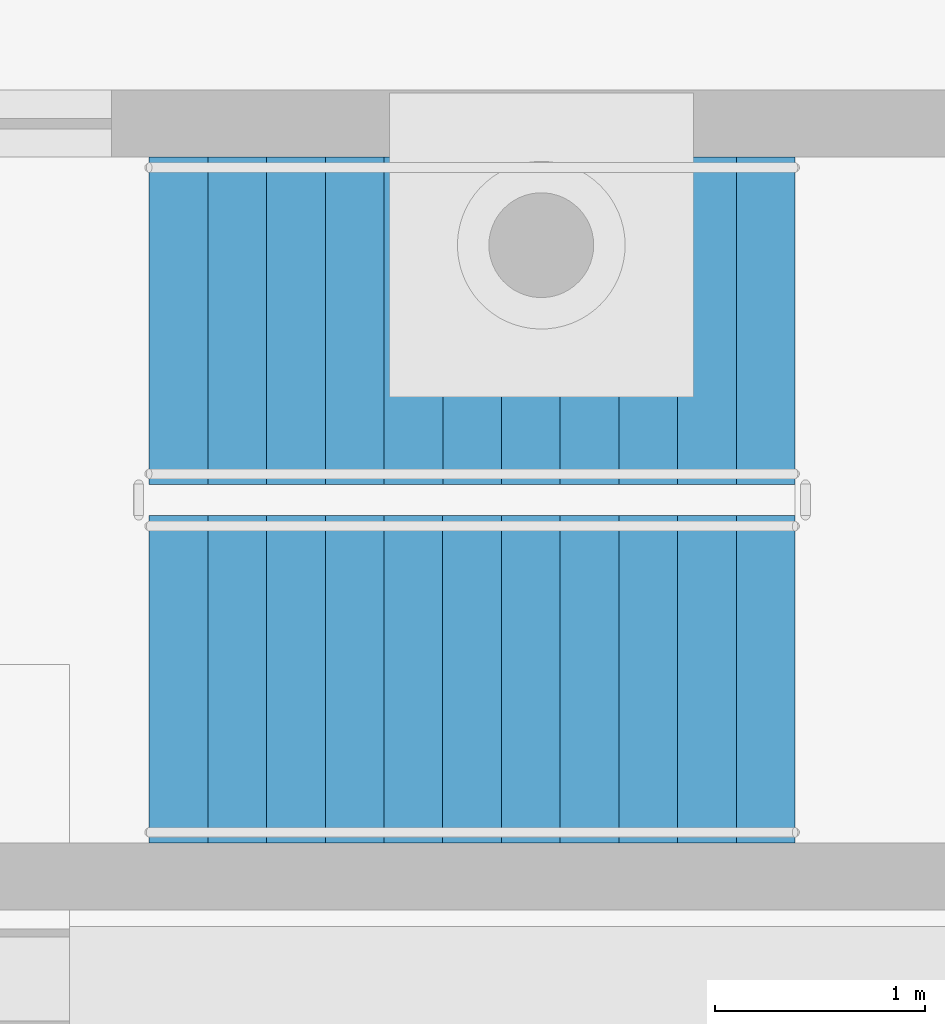
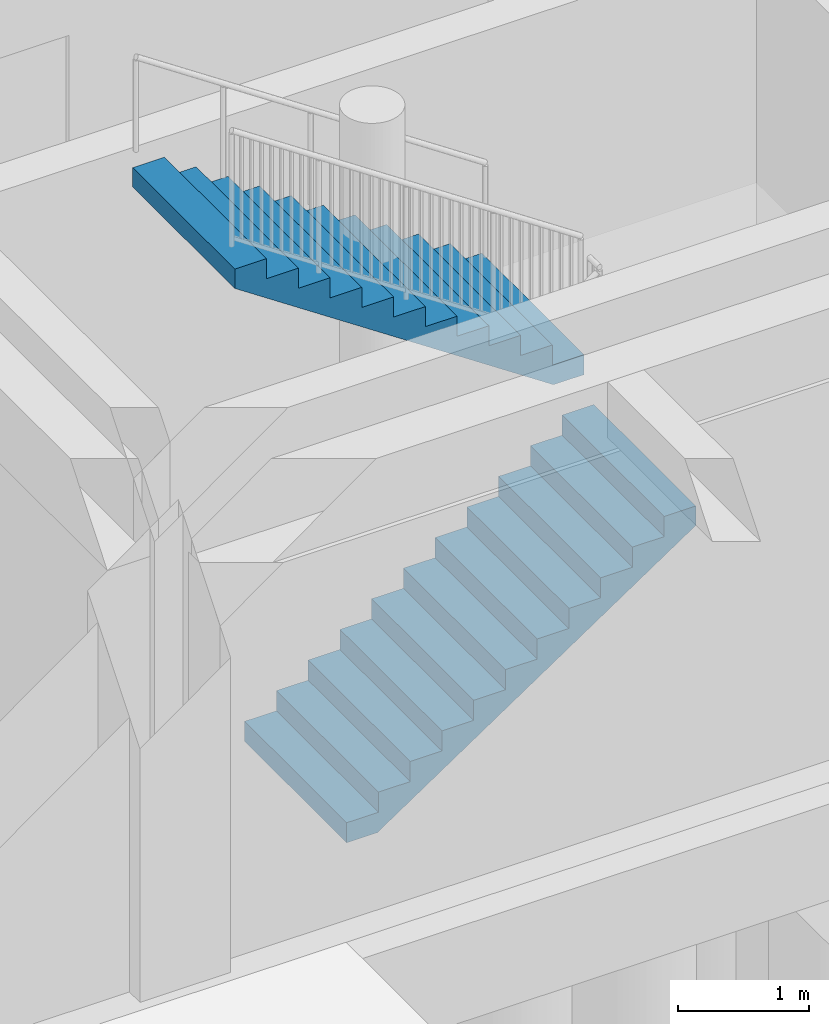
# One storey, part 39 of 49: 2 stair flights, 1 element without a shape of its own.
"""IFC4 building model written with IfcOpenShell, lengths in metres."""

from ifc_helpers import new_model, si_unit, direction, frame, origin, place, context, subcontext, project, spatial, polygons, material, type_object, element, aggregate, save


model = new_model("IFC4")

# Units and contexts
model_context = context("Model", 3, precision=1e-05, world=origin(), true_north=direction((0.0, 1.0)))
body_context = subcontext(model_context, "Body", "Model", "MODEL_VIEW")
ifc_project = project(units=[si_unit("LENGTHUNIT", "METRE"), si_unit("AREAUNIT", "SQUARE_METRE"), si_unit("VOLUMEUNIT", "CUBIC_METRE"), si_unit("PLANEANGLEUNIT", "RADIAN"), si_unit("MASSUNIT", "GRAM", prefix="KILO")], contexts=[model_context])

# Site, building, storey
site_placement = place(None, origin())
site = spatial("IfcSite", under=ifc_project, at=site_placement, CompositionType="ELEMENT")
building_placement = place(site_placement, origin())
building = spatial("IfcBuilding", under=site, at=building_placement, Name="Zantavel Square City Hall", CompositionType="ELEMENT")
storey_placement = place(building_placement, frame((0.0, 0.0, -4.5)))
storey = spatial("IfcBuildingStorey", under=building, at=storey_placement, Name="B1", CompositionType="ELEMENT", Elevation=-4.5)

# Stair, stair flights
ifc_material = material(Name="Concrete C35/45", Category="concrete")
stair_type = type_object("IfcStairType", Name="Enclosed Core Dogleg Stair B1 H4500", PredefinedType="HALF_TURN_STAIR", material=ifc_material)
stair_placement = place(storey_placement, origin())
stair = element("IfcStair", 1, at=stair_placement, inside=storey, type_object=stair_type, Name="B1 Exit Stair 3 West Pavilion Core", PredefinedType="HALF_TURN_STAIR")
stair_flight_type = type_object("IfcStairFlightType", Name="Enclosed Core Stair Flight B1 W1560", PredefinedType="STRAIGHT", material=ifc_material)
stair_flight_1_placement = place(storey_placement, frame((50.030029296875, 39.429931640625, 0.0), z_axis=(0.0, 0.0, 1.0), x_axis=(1.0, 0.0, 0.0)))
stair_flight_1 = element("IfcStairFlight", 2, at=stair_flight_1_placement, type_object=stair_flight_type, Name="ST3 flight 1", NumberOfRisers=12, NumberOfTreads=11, PredefinedType="STRAIGHT", RiserHeight=0.1875, TreadLength=0.28, context=body_context, shape_type="Tessellation", body=[
    polygons([(0.26953125, -0.780029296875, 0.0), (3.080078125, -0.780029296875, 1.882080078125), (3.080078125, -0.780029296875, 2.0625), (2.800048828125, -0.780029296875, 2.0625), (2.800048828125, -0.780029296875, 1.875), (2.52001953125, -0.780029296875, 1.875), (2.52001953125, -0.780029296875, 1.6875), (2.239990234375, -0.780029296875, 1.6875), (2.239990234375, -0.780029296875, 1.5), (1.9599609375, -0.780029296875, 1.5), (1.9599609375, -0.780029296875, 1.3125), (1.679931640625, -0.780029296875, 1.3125), (1.679931640625, -0.780029296875, 1.125), (1.39990234375, -0.780029296875, 1.125), (1.39990234375, -0.780029296875, 0.9375), (1.1201171875, -0.780029296875, 0.9375), (1.1201171875, -0.780029296875, 0.75), (0.840087890625, -0.780029296875, 0.75), (0.840087890625, -0.780029296875, 0.5625), (0.56005859375, -0.780029296875, 0.5625), (0.56005859375, -0.780029296875, 0.375), (0.280029296875, -0.780029296875, 0.375), (0.280029296875, -0.780029296875, 0.1875), (0.0, -0.780029296875, 0.1875), (0.0, -0.780029296875, 0.0), (0.26953125, -0.5849609375, 0.0), (3.080078125, -0.5849609375, 1.882080078125), (3.080078125, -0.5849609375, 2.0625), (2.800048828125, -0.5849609375, 2.0625), (2.800048828125, -0.5849609375, 1.875), (2.52001953125, -0.5849609375, 1.875), (2.52001953125, -0.5849609375, 1.6875), (2.239990234375, -0.5849609375, 1.6875), (2.239990234375, -0.5849609375, 1.5), (1.9599609375, -0.5849609375, 1.5), (1.9599609375, -0.5849609375, 1.3125), (1.679931640625, -0.5849609375, 1.3125), (1.679931640625, -0.5849609375, 1.125), (1.39990234375, -0.5849609375, 1.125), (1.39990234375, -0.5849609375, 0.9375), (1.1201171875, -0.5849609375, 0.9375), (1.1201171875, -0.5849609375, 0.75), (0.840087890625, -0.5849609375, 0.75), (0.840087890625, -0.5849609375, 0.5625), (0.56005859375, -0.5849609375, 0.5625), (0.56005859375, -0.5849609375, 0.375), (0.280029296875, -0.5849609375, 0.375), (0.280029296875, -0.5849609375, 0.1875), (0.0, -0.5849609375, 0.1875), (0.0, -0.5849609375, 0.0), (0.26953125, -0.39013671875, 0.0), (3.080078125, -0.39013671875, 1.882080078125), (3.080078125, -0.39013671875, 2.0625), (2.800048828125, -0.39013671875, 2.0625), (2.800048828125, -0.39013671875, 1.875), (2.52001953125, -0.39013671875, 1.875), (2.52001953125, -0.39013671875, 1.6875), (2.239990234375, -0.39013671875, 1.6875), (2.239990234375, -0.39013671875, 1.5), (1.9599609375, -0.39013671875, 1.5), (1.9599609375, -0.39013671875, 1.3125), (1.679931640625, -0.39013671875, 1.3125), (1.679931640625, -0.39013671875, 1.125), (1.39990234375, -0.39013671875, 1.125), (1.39990234375, -0.39013671875, 0.9375), (1.1201171875, -0.39013671875, 0.9375), (1.1201171875, -0.39013671875, 0.75), (0.840087890625, -0.39013671875, 0.75), (0.840087890625, -0.39013671875, 0.5625), (0.56005859375, -0.39013671875, 0.5625), (0.56005859375, -0.39013671875, 0.375), (0.280029296875, -0.39013671875, 0.375), (0.280029296875, -0.39013671875, 0.1875), (0.0, -0.39013671875, 0.1875), (0.0, -0.39013671875, 0.0), (0.26953125, -0.195068359375, 0.0), (3.080078125, -0.195068359375, 1.882080078125), (3.080078125, -0.195068359375, 2.0625), (2.800048828125, -0.195068359375, 2.0625), (2.800048828125, -0.195068359375, 1.875), (2.52001953125, -0.195068359375, 1.875), (2.52001953125, -0.195068359375, 1.6875), (2.239990234375, -0.195068359375, 1.6875), (2.239990234375, -0.195068359375, 1.5), (1.9599609375, -0.195068359375, 1.5), (1.9599609375, -0.195068359375, 1.3125), (1.679931640625, -0.195068359375, 1.3125), (1.679931640625, -0.195068359375, 1.125), (1.39990234375, -0.195068359375, 1.125), (1.39990234375, -0.195068359375, 0.9375), (1.1201171875, -0.195068359375, 0.9375), (1.1201171875, -0.195068359375, 0.75), (0.840087890625, -0.195068359375, 0.75), (0.840087890625, -0.195068359375, 0.5625), (0.56005859375, -0.195068359375, 0.5625), (0.56005859375, -0.195068359375, 0.375), (0.280029296875, -0.195068359375, 0.375), (0.280029296875, -0.195068359375, 0.1875), (0.0, -0.195068359375, 0.1875), (0.0, -0.195068359375, 0.0), (0.26953125, 0.0, 0.0), (3.080078125, 0.0, 1.882080078125), (3.080078125, 0.0, 2.0625), (2.800048828125, 0.0, 2.0625), (2.800048828125, 0.0, 1.875), (2.52001953125, 0.0, 1.875), (2.52001953125, 0.0, 1.6875), (2.239990234375, 0.0, 1.6875), (2.239990234375, 0.0, 1.5), (1.9599609375, 0.0, 1.5), (1.9599609375, 0.0, 1.3125), (1.679931640625, 0.0, 1.3125), (1.679931640625, 0.0, 1.125), (1.39990234375, 0.0, 1.125), (1.39990234375, 0.0, 0.9375), (1.1201171875, 0.0, 0.9375), (1.1201171875, 0.0, 0.75), (0.840087890625, 0.0, 0.75), (0.840087890625, 0.0, 0.5625), (0.56005859375, 0.0, 0.5625), (0.56005859375, 0.0, 0.375), (0.280029296875, 0.0, 0.375), (0.280029296875, 0.0, 0.1875), (0.0, 0.0, 0.1875), (0.0, 0.0, 0.0), (0.26953125, 0.195068359375, 0.0), (3.080078125, 0.195068359375, 1.882080078125), (3.080078125, 0.195068359375, 2.0625), (2.800048828125, 0.195068359375, 2.0625), (2.800048828125, 0.195068359375, 1.875), (2.52001953125, 0.195068359375, 1.875), (2.52001953125, 0.195068359375, 1.6875), (2.239990234375, 0.195068359375, 1.6875), (2.239990234375, 0.195068359375, 1.5), (1.9599609375, 0.195068359375, 1.5), (1.9599609375, 0.195068359375, 1.3125), (1.679931640625, 0.195068359375, 1.3125), (1.679931640625, 0.195068359375, 1.125), (1.39990234375, 0.195068359375, 1.125), (1.39990234375, 0.195068359375, 0.9375), (1.1201171875, 0.195068359375, 0.9375), (1.1201171875, 0.195068359375, 0.75), (0.840087890625, 0.195068359375, 0.75), (0.840087890625, 0.195068359375, 0.5625), (0.56005859375, 0.195068359375, 0.5625), (0.56005859375, 0.195068359375, 0.375), (0.280029296875, 0.195068359375, 0.375), (0.280029296875, 0.195068359375, 0.1875), (0.0, 0.195068359375, 0.1875), (0.0, 0.195068359375, 0.0), (0.26953125, 0.39013671875, 0.0), (3.080078125, 0.39013671875, 1.882080078125), (3.080078125, 0.39013671875, 2.0625), (2.800048828125, 0.39013671875, 2.0625), (2.800048828125, 0.39013671875, 1.875), (2.52001953125, 0.39013671875, 1.875), (2.52001953125, 0.39013671875, 1.6875), (2.239990234375, 0.39013671875, 1.6875), (2.239990234375, 0.39013671875, 1.5), (1.9599609375, 0.39013671875, 1.5), (1.9599609375, 0.39013671875, 1.3125), (1.679931640625, 0.39013671875, 1.3125), (1.679931640625, 0.39013671875, 1.125), (1.39990234375, 0.39013671875, 1.125), (1.39990234375, 0.39013671875, 0.9375), (1.1201171875, 0.39013671875, 0.9375), (1.1201171875, 0.39013671875, 0.75), (0.840087890625, 0.39013671875, 0.75), (0.840087890625, 0.39013671875, 0.5625), (0.56005859375, 0.39013671875, 0.5625), (0.56005859375, 0.39013671875, 0.375), (0.280029296875, 0.39013671875, 0.375), (0.280029296875, 0.39013671875, 0.1875), (0.0, 0.39013671875, 0.1875), (0.0, 0.39013671875, 0.0), (0.26953125, 0.5849609375, 0.0), (3.080078125, 0.5849609375, 1.882080078125), (3.080078125, 0.5849609375, 2.0625), (2.800048828125, 0.5849609375, 2.0625), (2.800048828125, 0.5849609375, 1.875), (2.52001953125, 0.5849609375, 1.875), (2.52001953125, 0.5849609375, 1.6875), (2.239990234375, 0.5849609375, 1.6875), (2.239990234375, 0.5849609375, 1.5), (1.9599609375, 0.5849609375, 1.5), (1.9599609375, 0.5849609375, 1.3125), (1.679931640625, 0.5849609375, 1.3125), (1.679931640625, 0.5849609375, 1.125), (1.39990234375, 0.5849609375, 1.125), (1.39990234375, 0.5849609375, 0.9375), (1.1201171875, 0.5849609375, 0.9375), (1.1201171875, 0.5849609375, 0.75), (0.840087890625, 0.5849609375, 0.75), (0.840087890625, 0.5849609375, 0.5625), (0.56005859375, 0.5849609375, 0.5625), (0.56005859375, 0.5849609375, 0.375), (0.280029296875, 0.5849609375, 0.375), (0.280029296875, 0.5849609375, 0.1875), (0.0, 0.5849609375, 0.1875), (0.0, 0.5849609375, 0.0), (0.26953125, 0.780029296875, 0.0), (3.080078125, 0.780029296875, 1.882080078125), (3.080078125, 0.780029296875, 2.0625), (2.800048828125, 0.780029296875, 2.0625), (2.800048828125, 0.780029296875, 1.875), (2.52001953125, 0.780029296875, 1.875), (2.52001953125, 0.780029296875, 1.6875), (2.239990234375, 0.780029296875, 1.6875), (2.239990234375, 0.780029296875, 1.5), (1.9599609375, 0.780029296875, 1.5), (1.9599609375, 0.780029296875, 1.3125), (1.679931640625, 0.780029296875, 1.3125), (1.679931640625, 0.780029296875, 1.125), (1.39990234375, 0.780029296875, 1.125), (1.39990234375, 0.780029296875, 0.9375), (1.1201171875, 0.780029296875, 0.9375), (1.1201171875, 0.780029296875, 0.75), (0.840087890625, 0.780029296875, 0.75), (0.840087890625, 0.780029296875, 0.5625), (0.56005859375, 0.780029296875, 0.5625), (0.56005859375, 0.780029296875, 0.375), (0.280029296875, 0.780029296875, 0.375), (0.280029296875, 0.780029296875, 0.1875), (0.0, 0.780029296875, 0.1875), (0.0, 0.780029296875, 0.0)], [[[1, 2, 3, 4, 5, 6, 7, 8, 9, 10, 11, 12, 13, 14, 15, 16, 17, 18, 19, 20, 21, 22, 23, 24, 25]], [[225, 224, 223, 222, 221, 220, 219, 218, 217, 216, 215, 214, 213, 212, 211, 210, 209, 208, 207, 206, 205, 204, 203, 202, 201]], [[1, 26, 27]], [[1, 27, 2]], [[2, 27, 28]], [[2, 28, 3]], [[3, 28, 29]], [[3, 29, 4]], [[4, 29, 30]], [[4, 30, 5]], [[5, 30, 31]], [[5, 31, 6]], [[6, 31, 32]], [[6, 32, 7]], [[7, 32, 33]], [[7, 33, 8]], [[8, 33, 34]], [[8, 34, 9]], [[9, 34, 35]], [[9, 35, 10]], [[10, 35, 36]], [[10, 36, 11]], [[11, 36, 37]], [[11, 37, 12]], [[12, 37, 38]], [[12, 38, 13]], [[13, 38, 39]], [[13, 39, 14]], [[14, 39, 40]], [[14, 40, 15]], [[15, 40, 41]], [[15, 41, 16]], [[16, 41, 42]], [[16, 42, 17]], [[17, 42, 43]], [[17, 43, 18]], [[18, 43, 44]], [[18, 44, 19]], [[19, 44, 45]], [[19, 45, 20]], [[20, 45, 46]], [[20, 46, 21]], [[21, 46, 47]], [[21, 47, 22]], [[22, 47, 48]], [[22, 48, 23]], [[23, 48, 49]], [[23, 49, 24]], [[24, 49, 50]], [[24, 50, 25]], [[25, 50, 26]], [[25, 26, 1]], [[26, 51, 52]], [[26, 52, 27]], [[27, 52, 53]], [[27, 53, 28]], [[28, 53, 54]], [[28, 54, 29]], [[29, 54, 55]], [[29, 55, 30]], [[30, 55, 56]], [[30, 56, 31]], [[31, 56, 57]], [[31, 57, 32]], [[32, 57, 58]], [[32, 58, 33]], [[33, 58, 59]], [[33, 59, 34]], [[34, 59, 60]], [[34, 60, 35]], [[35, 60, 61]], [[35, 61, 36]], [[36, 61, 62]], [[36, 62, 37]], [[37, 62, 63]], [[37, 63, 38]], [[38, 63, 64]], [[38, 64, 39]], [[39, 64, 65]], [[39, 65, 40]], [[40, 65, 66]], [[40, 66, 41]], [[41, 66, 67]], [[41, 67, 42]], [[42, 67, 68]], [[42, 68, 43]], [[43, 68, 69]], [[43, 69, 44]], [[44, 69, 70]], [[44, 70, 45]], [[45, 70, 71]], [[45, 71, 46]], [[46, 71, 72]], [[46, 72, 47]], [[47, 72, 73]], [[47, 73, 48]], [[48, 73, 74]], [[48, 74, 49]], [[49, 74, 75]], [[49, 75, 50]], [[50, 75, 51]], [[50, 51, 26]], [[51, 76, 77]], [[51, 77, 52]], [[52, 77, 78]], [[52, 78, 53]], [[53, 78, 79]], [[53, 79, 54]], [[54, 79, 80]], [[54, 80, 55]], [[55, 80, 81]], [[55, 81, 56]], [[56, 81, 82]], [[56, 82, 57]], [[57, 82, 83]], [[57, 83, 58]], [[58, 83, 84]], [[58, 84, 59]], [[59, 84, 85]], [[59, 85, 60]], [[60, 85, 86]], [[60, 86, 61]], [[61, 86, 87]], [[61, 87, 62]], [[62, 87, 88]], [[62, 88, 63]], [[63, 88, 89]], [[63, 89, 64]], [[64, 89, 90]], [[64, 90, 65]], [[65, 90, 91]], [[65, 91, 66]], [[66, 91, 92]], [[66, 92, 67]], [[67, 92, 93]], [[67, 93, 68]], [[68, 93, 94]], [[68, 94, 69]], [[69, 94, 95]], [[69, 95, 70]], [[70, 95, 96]], [[70, 96, 71]], [[71, 96, 97]], [[71, 97, 72]], [[72, 97, 98]], [[72, 98, 73]], [[73, 98, 99]], [[73, 99, 74]], [[74, 99, 100]], [[74, 100, 75]], [[75, 100, 76]], [[75, 76, 51]], [[76, 101, 102]], [[76, 102, 77]], [[77, 102, 103]], [[77, 103, 78]], [[78, 103, 104]], [[78, 104, 79]], [[79, 104, 105]], [[79, 105, 80]], [[80, 105, 106]], [[80, 106, 81]], [[81, 106, 107]], [[81, 107, 82]], [[82, 107, 108]], [[82, 108, 83]], [[83, 108, 109]], [[83, 109, 84]], [[84, 109, 110]], [[84, 110, 85]], [[85, 110, 111]], [[85, 111, 86]], [[86, 111, 112]], [[86, 112, 87]], [[87, 112, 113]], [[87, 113, 88]], [[88, 113, 114]], [[88, 114, 89]], [[89, 114, 115]], [[89, 115, 90]], [[90, 115, 116]], [[90, 116, 91]], [[91, 116, 117]], [[91, 117, 92]], [[92, 117, 118]], [[92, 118, 93]], [[93, 118, 119]], [[93, 119, 94]], [[94, 119, 120]], [[94, 120, 95]], [[95, 120, 121]], [[95, 121, 96]], [[96, 121, 122]], [[96, 122, 97]], [[97, 122, 123]], [[97, 123, 98]], [[98, 123, 124]], [[98, 124, 99]], [[99, 124, 125]], [[99, 125, 100]], [[100, 125, 101]], [[100, 101, 76]], [[101, 126, 102]], [[126, 127, 102]], [[102, 127, 103]], [[127, 128, 103]], [[103, 128, 104]], [[128, 129, 104]], [[104, 129, 105]], [[129, 130, 105]], [[105, 130, 106]], [[130, 131, 106]], [[106, 131, 107]], [[131, 132, 107]], [[107, 132, 108]], [[132, 133, 108]], [[108, 133, 109]], [[133, 134, 109]], [[109, 134, 110]], [[134, 135, 110]], [[110, 135, 111]], [[135, 136, 111]], [[111, 136, 112]], [[136, 137, 112]], [[112, 137, 113]], [[137, 138, 113]], [[113, 138, 114]], [[138, 139, 114]], [[114, 139, 115]], [[139, 140, 115]], [[115, 140, 116]], [[140, 141, 116]], [[116, 141, 117]], [[141, 142, 117]], [[117, 142, 118]], [[142, 143, 118]], [[118, 143, 119]], [[143, 144, 119]], [[119, 144, 120]], [[144, 145, 120]], [[120, 145, 121]], [[145, 146, 121]], [[121, 146, 122]], [[146, 147, 122]], [[122, 147, 123]], [[147, 148, 123]], [[123, 148, 124]], [[148, 149, 124]], [[124, 149, 125]], [[149, 150, 125]], [[125, 150, 101]], [[150, 126, 101]], [[126, 151, 127]], [[151, 152, 127]], [[127, 152, 128]], [[152, 153, 128]], [[128, 153, 129]], [[153, 154, 129]], [[129, 154, 130]], [[154, 155, 130]], [[130, 155, 131]], [[155, 156, 131]], [[131, 156, 132]], [[156, 157, 132]], [[132, 157, 133]], [[157, 158, 133]], [[133, 158, 134]], [[158, 159, 134]], [[134, 159, 135]], [[159, 160, 135]], [[135, 160, 136]], [[160, 161, 136]], [[136, 161, 137]], [[161, 162, 137]], [[137, 162, 138]], [[162, 163, 138]], [[138, 163, 139]], [[163, 164, 139]], [[139, 164, 140]], [[164, 165, 140]], [[140, 165, 141]], [[165, 166, 141]], [[141, 166, 142]], [[166, 167, 142]], [[142, 167, 143]], [[167, 168, 143]], [[143, 168, 144]], [[168, 169, 144]], [[144, 169, 145]], [[169, 170, 145]], [[145, 170, 146]], [[170, 171, 146]], [[146, 171, 147]], [[171, 172, 147]], [[147, 172, 148]], [[172, 173, 148]], [[148, 173, 149]], [[173, 174, 149]], [[149, 174, 150]], [[174, 175, 150]], [[150, 175, 126]], [[175, 151, 126]], [[151, 176, 152]], [[176, 177, 152]], [[152, 177, 153]], [[177, 178, 153]], [[153, 178, 154]], [[178, 179, 154]], [[154, 179, 155]], [[179, 180, 155]], [[155, 180, 156]], [[180, 181, 156]], [[156, 181, 157]], [[181, 182, 157]], [[157, 182, 158]], [[182, 183, 158]], [[158, 183, 159]], [[183, 184, 159]], [[159, 184, 160]], [[184, 185, 160]], [[160, 185, 161]], [[185, 186, 161]], [[161, 186, 162]], [[186, 187, 162]], [[162, 187, 163]], [[187, 188, 163]], [[163, 188, 164]], [[188, 189, 164]], [[164, 189, 165]], [[189, 190, 165]], [[165, 190, 166]], [[190, 191, 166]], [[166, 191, 167]], [[191, 192, 167]], [[167, 192, 168]], [[192, 193, 168]], [[168, 193, 169]], [[193, 194, 169]], [[169, 194, 170]], [[194, 195, 170]], [[170, 195, 171]], [[195, 196, 171]], [[171, 196, 172]], [[196, 197, 172]], [[172, 197, 173]], [[197, 198, 173]], [[173, 198, 174]], [[198, 199, 174]], [[174, 199, 175]], [[199, 200, 175]], [[175, 200, 151]], [[200, 176, 151]], [[176, 201, 177]], [[201, 202, 177]], [[177, 202, 178]], [[202, 203, 178]], [[178, 203, 179]], [[203, 204, 179]], [[179, 204, 180]], [[204, 205, 180]], [[180, 205, 181]], [[205, 206, 181]], [[181, 206, 182]], [[206, 207, 182]], [[182, 207, 183]], [[207, 208, 183]], [[183, 208, 184]], [[208, 209, 184]], [[184, 209, 185]], [[209, 210, 185]], [[185, 210, 186]], [[210, 211, 186]], [[186, 211, 187]], [[211, 212, 187]], [[187, 212, 188]], [[212, 213, 188]], [[188, 213, 189]], [[213, 214, 189]], [[189, 214, 190]], [[214, 215, 190]], [[190, 215, 191]], [[215, 216, 191]], [[191, 216, 192]], [[216, 217, 192]], [[192, 217, 193]], [[217, 218, 193]], [[193, 218, 194]], [[218, 219, 194]], [[194, 219, 195]], [[219, 220, 195]], [[195, 220, 196]], [[220, 221, 196]], [[196, 221, 197]], [[221, 222, 197]], [[197, 222, 198]], [[222, 223, 198]], [[198, 223, 199]], [[223, 224, 199]], [[199, 224, 200]], [[224, 225, 200]], [[200, 225, 176]], [[225, 201, 176]]], closed=True),
])
stair_flight_2_placement = place(storey_placement, frame((53.110107421875, 41.139892578125, 2.25), z_axis=(0.0, 0.0, 1.0), x_axis=(-1.0, 0.0, 0.0)))
stair_flight_2 = element("IfcStairFlight", 3, at=stair_flight_2_placement, type_object=stair_flight_type, Name="ST3 flight 2", NumberOfRisers=12, NumberOfTreads=11, PredefinedType="STRAIGHT", RiserHeight=0.1875, TreadLength=0.28, context=body_context, shape_type="Tessellation", body=[
    polygons([(0.26953125, -0.780029296875, 0.0), (3.080078125, -0.780029296875, 1.882080078125), (3.080078125, -0.780029296875, 2.0625), (2.800048828125, -0.780029296875, 2.0625), (2.800048828125, -0.780029296875, 1.875), (2.52001953125, -0.780029296875, 1.875), (2.52001953125, -0.780029296875, 1.6875), (2.239990234375, -0.780029296875, 1.6875), (2.239990234375, -0.780029296875, 1.5), (1.9599609375, -0.780029296875, 1.5), (1.9599609375, -0.780029296875, 1.3125), (1.679931640625, -0.780029296875, 1.3125), (1.679931640625, -0.780029296875, 1.125), (1.39990234375, -0.780029296875, 1.125), (1.39990234375, -0.780029296875, 0.9375), (1.1201171875, -0.780029296875, 0.9375), (1.1201171875, -0.780029296875, 0.75), (0.840087890625, -0.780029296875, 0.75), (0.840087890625, -0.780029296875, 0.5625), (0.56005859375, -0.780029296875, 0.5625), (0.56005859375, -0.780029296875, 0.375), (0.280029296875, -0.780029296875, 0.375), (0.280029296875, -0.780029296875, 0.1875), (0.0, -0.780029296875, 0.1875), (0.0, -0.780029296875, 0.0), (0.26953125, -0.5849609375, 0.0), (3.080078125, -0.5849609375, 1.882080078125), (3.080078125, -0.5849609375, 2.0625), (2.800048828125, -0.5849609375, 2.0625), (2.800048828125, -0.5849609375, 1.875), (2.52001953125, -0.5849609375, 1.875), (2.52001953125, -0.5849609375, 1.6875), (2.239990234375, -0.5849609375, 1.6875), (2.239990234375, -0.5849609375, 1.5), (1.9599609375, -0.5849609375, 1.5), (1.9599609375, -0.5849609375, 1.3125), (1.679931640625, -0.5849609375, 1.3125), (1.679931640625, -0.5849609375, 1.125), (1.39990234375, -0.5849609375, 1.125), (1.39990234375, -0.5849609375, 0.9375), (1.1201171875, -0.5849609375, 0.9375), (1.1201171875, -0.5849609375, 0.75), (0.840087890625, -0.5849609375, 0.75), (0.840087890625, -0.5849609375, 0.5625), (0.56005859375, -0.5849609375, 0.5625), (0.56005859375, -0.5849609375, 0.375), (0.280029296875, -0.5849609375, 0.375), (0.280029296875, -0.5849609375, 0.1875), (0.0, -0.5849609375, 0.1875), (0.0, -0.5849609375, 0.0), (0.26953125, -0.39013671875, 0.0), (3.080078125, -0.39013671875, 1.882080078125), (3.080078125, -0.39013671875, 2.0625), (2.800048828125, -0.39013671875, 2.0625), (2.800048828125, -0.39013671875, 1.875), (2.52001953125, -0.39013671875, 1.875), (2.52001953125, -0.39013671875, 1.6875), (2.239990234375, -0.39013671875, 1.6875), (2.239990234375, -0.39013671875, 1.5), (1.9599609375, -0.39013671875, 1.5), (1.9599609375, -0.39013671875, 1.3125), (1.679931640625, -0.39013671875, 1.3125), (1.679931640625, -0.39013671875, 1.125), (1.39990234375, -0.39013671875, 1.125), (1.39990234375, -0.39013671875, 0.9375), (1.1201171875, -0.39013671875, 0.9375), (1.1201171875, -0.39013671875, 0.75), (0.840087890625, -0.39013671875, 0.75), (0.840087890625, -0.39013671875, 0.5625), (0.56005859375, -0.39013671875, 0.5625), (0.56005859375, -0.39013671875, 0.375), (0.280029296875, -0.39013671875, 0.375), (0.280029296875, -0.39013671875, 0.1875), (0.0, -0.39013671875, 0.1875), (0.0, -0.39013671875, 0.0), (0.26953125, -0.195068359375, 0.0), (3.080078125, -0.195068359375, 1.882080078125), (3.080078125, -0.195068359375, 2.0625), (2.800048828125, -0.195068359375, 2.0625), (2.800048828125, -0.195068359375, 1.875), (2.52001953125, -0.195068359375, 1.875), (2.52001953125, -0.195068359375, 1.6875), (2.239990234375, -0.195068359375, 1.6875), (2.239990234375, -0.195068359375, 1.5), (1.9599609375, -0.195068359375, 1.5), (1.9599609375, -0.195068359375, 1.3125), (1.679931640625, -0.195068359375, 1.3125), (1.679931640625, -0.195068359375, 1.125), (1.39990234375, -0.195068359375, 1.125), (1.39990234375, -0.195068359375, 0.9375), (1.1201171875, -0.195068359375, 0.9375), (1.1201171875, -0.195068359375, 0.75), (0.840087890625, -0.195068359375, 0.75), (0.840087890625, -0.195068359375, 0.5625), (0.56005859375, -0.195068359375, 0.5625), (0.56005859375, -0.195068359375, 0.375), (0.280029296875, -0.195068359375, 0.375), (0.280029296875, -0.195068359375, 0.1875), (0.0, -0.195068359375, 0.1875), (0.0, -0.195068359375, 0.0), (0.26953125, 0.0, 0.0), (3.080078125, 0.0, 1.882080078125), (3.080078125, 0.0, 2.0625), (2.800048828125, 0.0, 2.0625), (2.800048828125, 0.0, 1.875), (2.52001953125, 0.0, 1.875), (2.52001953125, 0.0, 1.6875), (2.239990234375, 0.0, 1.6875), (2.239990234375, 0.0, 1.5), (1.9599609375, 0.0, 1.5), (1.9599609375, 0.0, 1.3125), (1.679931640625, 0.0, 1.3125), (1.679931640625, 0.0, 1.125), (1.39990234375, 0.0, 1.125), (1.39990234375, 0.0, 0.9375), (1.1201171875, 0.0, 0.9375), (1.1201171875, 0.0, 0.75), (0.840087890625, 0.0, 0.75), (0.840087890625, 0.0, 0.5625), (0.56005859375, 0.0, 0.5625), (0.56005859375, 0.0, 0.375), (0.280029296875, 0.0, 0.375), (0.280029296875, 0.0, 0.1875), (0.0, 0.0, 0.1875), (0.0, 0.0, 0.0), (0.26953125, 0.195068359375, 0.0), (3.080078125, 0.195068359375, 1.882080078125), (3.080078125, 0.195068359375, 2.0625), (2.800048828125, 0.195068359375, 2.0625), (2.800048828125, 0.195068359375, 1.875), (2.52001953125, 0.195068359375, 1.875), (2.52001953125, 0.195068359375, 1.6875), (2.239990234375, 0.195068359375, 1.6875), (2.239990234375, 0.195068359375, 1.5), (1.9599609375, 0.195068359375, 1.5), (1.9599609375, 0.195068359375, 1.3125), (1.679931640625, 0.195068359375, 1.3125), (1.679931640625, 0.195068359375, 1.125), (1.39990234375, 0.195068359375, 1.125), (1.39990234375, 0.195068359375, 0.9375), (1.1201171875, 0.195068359375, 0.9375), (1.1201171875, 0.195068359375, 0.75), (0.840087890625, 0.195068359375, 0.75), (0.840087890625, 0.195068359375, 0.5625), (0.56005859375, 0.195068359375, 0.5625), (0.56005859375, 0.195068359375, 0.375), (0.280029296875, 0.195068359375, 0.375), (0.280029296875, 0.195068359375, 0.1875), (0.0, 0.195068359375, 0.1875), (0.0, 0.195068359375, 0.0), (0.26953125, 0.39013671875, 0.0), (3.080078125, 0.39013671875, 1.882080078125), (3.080078125, 0.39013671875, 2.0625), (2.800048828125, 0.39013671875, 2.0625), (2.800048828125, 0.39013671875, 1.875), (2.52001953125, 0.39013671875, 1.875), (2.52001953125, 0.39013671875, 1.6875), (2.239990234375, 0.39013671875, 1.6875), (2.239990234375, 0.39013671875, 1.5), (1.9599609375, 0.39013671875, 1.5), (1.9599609375, 0.39013671875, 1.3125), (1.679931640625, 0.39013671875, 1.3125), (1.679931640625, 0.39013671875, 1.125), (1.39990234375, 0.39013671875, 1.125), (1.39990234375, 0.39013671875, 0.9375), (1.1201171875, 0.39013671875, 0.9375), (1.1201171875, 0.39013671875, 0.75), (0.840087890625, 0.39013671875, 0.75), (0.840087890625, 0.39013671875, 0.5625), (0.56005859375, 0.39013671875, 0.5625), (0.56005859375, 0.39013671875, 0.375), (0.280029296875, 0.39013671875, 0.375), (0.280029296875, 0.39013671875, 0.1875), (0.0, 0.39013671875, 0.1875), (0.0, 0.39013671875, 0.0), (0.26953125, 0.5849609375, 0.0), (3.080078125, 0.5849609375, 1.882080078125), (3.080078125, 0.5849609375, 2.0625), (2.800048828125, 0.5849609375, 2.0625), (2.800048828125, 0.5849609375, 1.875), (2.52001953125, 0.5849609375, 1.875), (2.52001953125, 0.5849609375, 1.6875), (2.239990234375, 0.5849609375, 1.6875), (2.239990234375, 0.5849609375, 1.5), (1.9599609375, 0.5849609375, 1.5), (1.9599609375, 0.5849609375, 1.3125), (1.679931640625, 0.5849609375, 1.3125), (1.679931640625, 0.5849609375, 1.125), (1.39990234375, 0.5849609375, 1.125), (1.39990234375, 0.5849609375, 0.9375), (1.1201171875, 0.5849609375, 0.9375), (1.1201171875, 0.5849609375, 0.75), (0.840087890625, 0.5849609375, 0.75), (0.840087890625, 0.5849609375, 0.5625), (0.56005859375, 0.5849609375, 0.5625), (0.56005859375, 0.5849609375, 0.375), (0.280029296875, 0.5849609375, 0.375), (0.280029296875, 0.5849609375, 0.1875), (0.0, 0.5849609375, 0.1875), (0.0, 0.5849609375, 0.0), (0.26953125, 0.780029296875, 0.0), (3.080078125, 0.780029296875, 1.882080078125), (3.080078125, 0.780029296875, 2.0625), (2.800048828125, 0.780029296875, 2.0625), (2.800048828125, 0.780029296875, 1.875), (2.52001953125, 0.780029296875, 1.875), (2.52001953125, 0.780029296875, 1.6875), (2.239990234375, 0.780029296875, 1.6875), (2.239990234375, 0.780029296875, 1.5), (1.9599609375, 0.780029296875, 1.5), (1.9599609375, 0.780029296875, 1.3125), (1.679931640625, 0.780029296875, 1.3125), (1.679931640625, 0.780029296875, 1.125), (1.39990234375, 0.780029296875, 1.125), (1.39990234375, 0.780029296875, 0.9375), (1.1201171875, 0.780029296875, 0.9375), (1.1201171875, 0.780029296875, 0.75), (0.840087890625, 0.780029296875, 0.75), (0.840087890625, 0.780029296875, 0.5625), (0.56005859375, 0.780029296875, 0.5625), (0.56005859375, 0.780029296875, 0.375), (0.280029296875, 0.780029296875, 0.375), (0.280029296875, 0.780029296875, 0.1875), (0.0, 0.780029296875, 0.1875), (0.0, 0.780029296875, 0.0)], [[[1, 2, 3, 4, 5, 6, 7, 8, 9, 10, 11, 12, 13, 14, 15, 16, 17, 18, 19, 20, 21, 22, 23, 24, 25]], [[225, 224, 223, 222, 221, 220, 219, 218, 217, 216, 215, 214, 213, 212, 211, 210, 209, 208, 207, 206, 205, 204, 203, 202, 201]], [[1, 26, 27]], [[1, 27, 2]], [[2, 27, 28]], [[2, 28, 3]], [[3, 28, 29]], [[3, 29, 4]], [[4, 29, 30]], [[4, 30, 5]], [[5, 30, 31]], [[5, 31, 6]], [[6, 31, 32]], [[6, 32, 7]], [[7, 32, 33]], [[7, 33, 8]], [[8, 33, 34]], [[8, 34, 9]], [[9, 34, 35]], [[9, 35, 10]], [[10, 35, 36]], [[10, 36, 11]], [[11, 36, 37]], [[11, 37, 12]], [[12, 37, 38]], [[12, 38, 13]], [[13, 38, 39]], [[13, 39, 14]], [[14, 39, 40]], [[14, 40, 15]], [[15, 40, 41]], [[15, 41, 16]], [[16, 41, 42]], [[16, 42, 17]], [[17, 42, 43]], [[17, 43, 18]], [[18, 43, 44]], [[18, 44, 19]], [[19, 44, 45]], [[19, 45, 20]], [[20, 45, 46]], [[20, 46, 21]], [[21, 46, 47]], [[21, 47, 22]], [[22, 47, 48]], [[22, 48, 23]], [[23, 48, 49]], [[23, 49, 24]], [[24, 49, 50]], [[24, 50, 25]], [[25, 50, 26]], [[25, 26, 1]], [[26, 51, 52]], [[26, 52, 27]], [[27, 52, 53]], [[27, 53, 28]], [[28, 53, 54]], [[28, 54, 29]], [[29, 54, 55]], [[29, 55, 30]], [[30, 55, 56]], [[30, 56, 31]], [[31, 56, 57]], [[31, 57, 32]], [[32, 57, 58]], [[32, 58, 33]], [[33, 58, 59]], [[33, 59, 34]], [[34, 59, 60]], [[34, 60, 35]], [[35, 60, 61]], [[35, 61, 36]], [[36, 61, 62]], [[36, 62, 37]], [[37, 62, 63]], [[37, 63, 38]], [[38, 63, 64]], [[38, 64, 39]], [[39, 64, 65]], [[39, 65, 40]], [[40, 65, 66]], [[40, 66, 41]], [[41, 66, 67]], [[41, 67, 42]], [[42, 67, 68]], [[42, 68, 43]], [[43, 68, 69]], [[43, 69, 44]], [[44, 69, 70]], [[44, 70, 45]], [[45, 70, 71]], [[45, 71, 46]], [[46, 71, 72]], [[46, 72, 47]], [[47, 72, 73]], [[47, 73, 48]], [[48, 73, 74]], [[48, 74, 49]], [[49, 74, 75]], [[49, 75, 50]], [[50, 75, 51]], [[50, 51, 26]], [[51, 76, 77]], [[51, 77, 52]], [[52, 77, 78]], [[52, 78, 53]], [[53, 78, 79]], [[53, 79, 54]], [[54, 79, 80]], [[54, 80, 55]], [[55, 80, 81]], [[55, 81, 56]], [[56, 81, 82]], [[56, 82, 57]], [[57, 82, 83]], [[57, 83, 58]], [[58, 83, 84]], [[58, 84, 59]], [[59, 84, 85]], [[59, 85, 60]], [[60, 85, 86]], [[60, 86, 61]], [[61, 86, 87]], [[61, 87, 62]], [[62, 87, 88]], [[62, 88, 63]], [[63, 88, 89]], [[63, 89, 64]], [[64, 89, 90]], [[64, 90, 65]], [[65, 90, 91]], [[65, 91, 66]], [[66, 91, 92]], [[66, 92, 67]], [[67, 92, 93]], [[67, 93, 68]], [[68, 93, 94]], [[68, 94, 69]], [[69, 94, 95]], [[69, 95, 70]], [[70, 95, 96]], [[70, 96, 71]], [[71, 96, 97]], [[71, 97, 72]], [[72, 97, 98]], [[72, 98, 73]], [[73, 98, 99]], [[73, 99, 74]], [[74, 99, 100]], [[74, 100, 75]], [[75, 100, 76]], [[75, 76, 51]], [[76, 101, 102]], [[76, 102, 77]], [[77, 102, 103]], [[77, 103, 78]], [[78, 103, 104]], [[78, 104, 79]], [[79, 104, 105]], [[79, 105, 80]], [[80, 105, 106]], [[80, 106, 81]], [[81, 106, 107]], [[81, 107, 82]], [[82, 107, 108]], [[82, 108, 83]], [[83, 108, 109]], [[83, 109, 84]], [[84, 109, 110]], [[84, 110, 85]], [[85, 110, 111]], [[85, 111, 86]], [[86, 111, 112]], [[86, 112, 87]], [[87, 112, 113]], [[87, 113, 88]], [[88, 113, 114]], [[88, 114, 89]], [[89, 114, 115]], [[89, 115, 90]], [[90, 115, 116]], [[90, 116, 91]], [[91, 116, 117]], [[91, 117, 92]], [[92, 117, 118]], [[92, 118, 93]], [[93, 118, 119]], [[93, 119, 94]], [[94, 119, 120]], [[94, 120, 95]], [[95, 120, 121]], [[95, 121, 96]], [[96, 121, 122]], [[96, 122, 97]], [[97, 122, 123]], [[97, 123, 98]], [[98, 123, 124]], [[98, 124, 99]], [[99, 124, 125]], [[99, 125, 100]], [[100, 125, 101]], [[100, 101, 76]], [[101, 126, 102]], [[126, 127, 102]], [[102, 127, 103]], [[127, 128, 103]], [[103, 128, 104]], [[128, 129, 104]], [[104, 129, 105]], [[129, 130, 105]], [[105, 130, 106]], [[130, 131, 106]], [[106, 131, 107]], [[131, 132, 107]], [[107, 132, 108]], [[132, 133, 108]], [[108, 133, 109]], [[133, 134, 109]], [[109, 134, 110]], [[134, 135, 110]], [[110, 135, 111]], [[135, 136, 111]], [[111, 136, 112]], [[136, 137, 112]], [[112, 137, 113]], [[137, 138, 113]], [[113, 138, 114]], [[138, 139, 114]], [[114, 139, 115]], [[139, 140, 115]], [[115, 140, 116]], [[140, 141, 116]], [[116, 141, 117]], [[141, 142, 117]], [[117, 142, 118]], [[142, 143, 118]], [[118, 143, 119]], [[143, 144, 119]], [[119, 144, 120]], [[144, 145, 120]], [[120, 145, 121]], [[145, 146, 121]], [[121, 146, 122]], [[146, 147, 122]], [[122, 147, 123]], [[147, 148, 123]], [[123, 148, 124]], [[148, 149, 124]], [[124, 149, 125]], [[149, 150, 125]], [[125, 150, 101]], [[150, 126, 101]], [[126, 151, 127]], [[151, 152, 127]], [[127, 152, 128]], [[152, 153, 128]], [[128, 153, 129]], [[153, 154, 129]], [[129, 154, 130]], [[154, 155, 130]], [[130, 155, 131]], [[155, 156, 131]], [[131, 156, 132]], [[156, 157, 132]], [[132, 157, 133]], [[157, 158, 133]], [[133, 158, 134]], [[158, 159, 134]], [[134, 159, 135]], [[159, 160, 135]], [[135, 160, 136]], [[160, 161, 136]], [[136, 161, 137]], [[161, 162, 137]], [[137, 162, 138]], [[162, 163, 138]], [[138, 163, 139]], [[163, 164, 139]], [[139, 164, 140]], [[164, 165, 140]], [[140, 165, 141]], [[165, 166, 141]], [[141, 166, 142]], [[166, 167, 142]], [[142, 167, 143]], [[167, 168, 143]], [[143, 168, 144]], [[168, 169, 144]], [[144, 169, 145]], [[169, 170, 145]], [[145, 170, 146]], [[170, 171, 146]], [[146, 171, 147]], [[171, 172, 147]], [[147, 172, 148]], [[172, 173, 148]], [[148, 173, 149]], [[173, 174, 149]], [[149, 174, 150]], [[174, 175, 150]], [[150, 175, 126]], [[175, 151, 126]], [[151, 176, 152]], [[176, 177, 152]], [[152, 177, 153]], [[177, 178, 153]], [[153, 178, 154]], [[178, 179, 154]], [[154, 179, 155]], [[179, 180, 155]], [[155, 180, 156]], [[180, 181, 156]], [[156, 181, 157]], [[181, 182, 157]], [[157, 182, 158]], [[182, 183, 158]], [[158, 183, 159]], [[183, 184, 159]], [[159, 184, 160]], [[184, 185, 160]], [[160, 185, 161]], [[185, 186, 161]], [[161, 186, 162]], [[186, 187, 162]], [[162, 187, 163]], [[187, 188, 163]], [[163, 188, 164]], [[188, 189, 164]], [[164, 189, 165]], [[189, 190, 165]], [[165, 190, 166]], [[190, 191, 166]], [[166, 191, 167]], [[191, 192, 167]], [[167, 192, 168]], [[192, 193, 168]], [[168, 193, 169]], [[193, 194, 169]], [[169, 194, 170]], [[194, 195, 170]], [[170, 195, 171]], [[195, 196, 171]], [[171, 196, 172]], [[196, 197, 172]], [[172, 197, 173]], [[197, 198, 173]], [[173, 198, 174]], [[198, 199, 174]], [[174, 199, 175]], [[199, 200, 175]], [[175, 200, 151]], [[200, 176, 151]], [[176, 201, 177]], [[201, 202, 177]], [[177, 202, 178]], [[202, 203, 178]], [[178, 203, 179]], [[203, 204, 179]], [[179, 204, 180]], [[204, 205, 180]], [[180, 205, 181]], [[205, 206, 181]], [[181, 206, 182]], [[206, 207, 182]], [[182, 207, 183]], [[207, 208, 183]], [[183, 208, 184]], [[208, 209, 184]], [[184, 209, 185]], [[209, 210, 185]], [[185, 210, 186]], [[210, 211, 186]], [[186, 211, 187]], [[211, 212, 187]], [[187, 212, 188]], [[212, 213, 188]], [[188, 213, 189]], [[213, 214, 189]], [[189, 214, 190]], [[214, 215, 190]], [[190, 215, 191]], [[215, 216, 191]], [[191, 216, 192]], [[216, 217, 192]], [[192, 217, 193]], [[217, 218, 193]], [[193, 218, 194]], [[218, 219, 194]], [[194, 219, 195]], [[219, 220, 195]], [[195, 220, 196]], [[220, 221, 196]], [[196, 221, 197]], [[221, 222, 197]], [[197, 222, 198]], [[222, 223, 198]], [[198, 223, 199]], [[223, 224, 199]], [[199, 224, 200]], [[224, 225, 200]], [[200, 225, 176]], [[225, 201, 176]]], closed=True),
])
aggregate(stair, [stair_flight_1, stair_flight_2])

save(model, "model.ifc")
